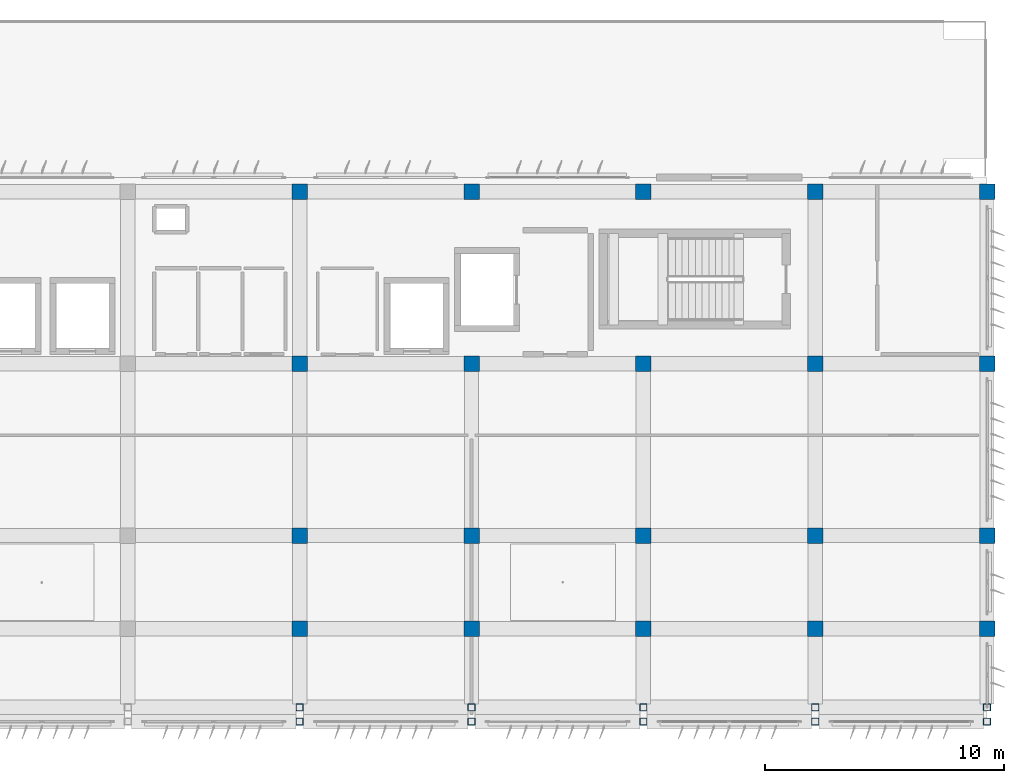
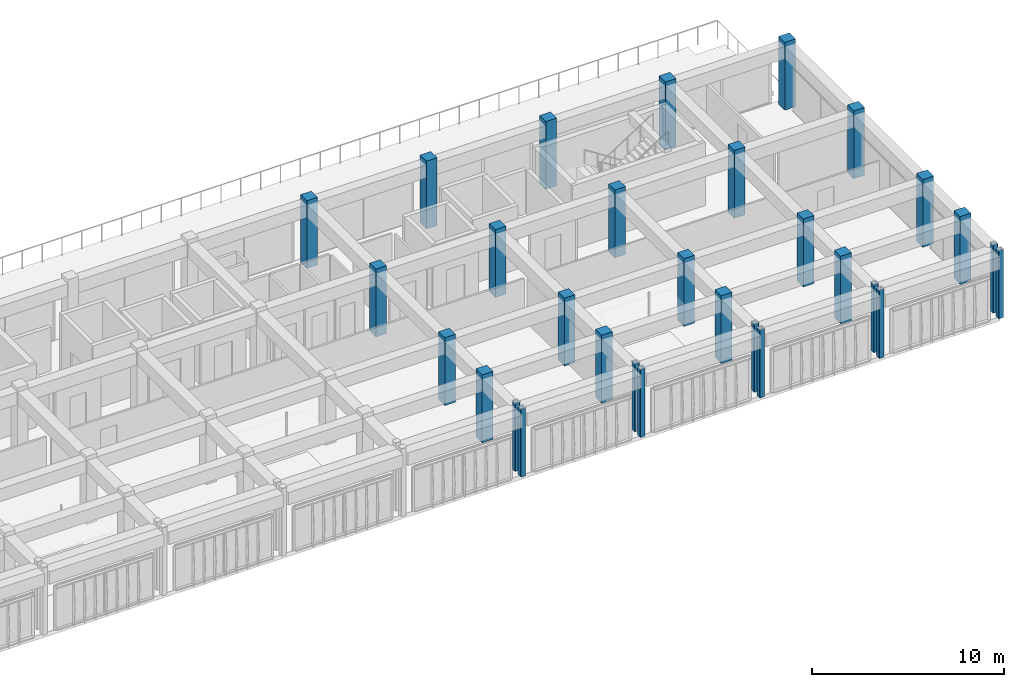
# One storey, part 2 of 42: 30 columns.
"""IFC4 building model written with IfcOpenShell, lengths in metres."""

from ifc_helpers import new_model, si_unit, direction, frame, origin, origin_2d, place, context, subcontext, project, spatial, rectangle, hollow_rectangle, extrude, material, material_profile, profile_set, type_object, element, save


model = new_model("IFC4")

# Units and contexts
model_context = context("Model", 3, precision=1e-05, world=origin(), true_north=direction((0.0, 1.0)))
body_context = subcontext(model_context, "Body", "Model", "MODEL_VIEW")
ifc_project = project(units=[si_unit("LENGTHUNIT", "METRE"), si_unit("AREAUNIT", "SQUARE_METRE"), si_unit("VOLUMEUNIT", "CUBIC_METRE"), si_unit("PLANEANGLEUNIT", "RADIAN"), si_unit("MASSUNIT", "GRAM", prefix="KILO")], contexts=[model_context])

# Site, building, storey
site_placement = place(None, origin())
site = spatial("IfcSite", under=ifc_project, at=site_placement, CompositionType="ELEMENT")
building_placement = place(site_placement, origin())
building = spatial("IfcBuilding", under=site, at=building_placement, Name="Kazehaya Institute of Natural Sciences", CompositionType="ELEMENT")
storey_placement = place(building_placement, frame((0.0, 0.0, 37.6201171875)))
storey = spatial("IfcBuildingStorey", under=building, at=storey_placement, Name="L08", CompositionType="ELEMENT", Elevation=37.6201171875)

# Columns
ifc_material_1 = material(Name="Concrete Fc36", Category="concrete")
ifc_material_profile_1 = material_profile(ifc_material_1, rectangle(XDim=0.64990234375, YDim=0.64990234375, at=origin_2d()), Name="RC-650x650")
ifc_profile_set_1 = profile_set([ifc_material_profile_1], Name="Concrete Fc36")
column_type_1 = type_object("IfcColumnType", Name="COL-RC650", PredefinedType="COLUMN", material=ifc_profile_set_1)
for number, where, z_axis, x_axis, name in (
    (1, (90.60009765625, 10.10009765625, 0.0), (0.0, 0.0, 1.0), (1.0, 0.0, 0.0), "L08 column COL-L08-1306"),
    (2, (97.800048828125, 10.10009765625, 0.0), (0.0, 0.0, 1.0), (1.0, 0.0, 0.0), "L08 column COL-L08-1307"),
    (3, (105.0, 10.10009765625, 0.0), (0.0, 0.0, 1.0), (1.0, 0.0, 0.0), "L08 column COL-L08-1308"),
    (4, (112.199951171875, 10.10009765625, 0.0), (0.0, 0.0, 1.0), (1.0, 0.0, 0.0), "L08 column COL-L08-1309"),
    (5, (119.39990234375, 10.10009765625, 0.0), (0.0, 0.0, 1.0), (1.0, 0.0, 0.0), "L08 column COL-L08-1310"),
    (6, (90.60009765625, 14.0, 0.0), (0.0, 0.0, 1.0), (1.0, 0.0, 0.0), "L08 column COL-L08-1316"),
    (7, (97.800048828125, 14.0, 0.0), (0.0, 0.0, 1.0), (1.0, 0.0, 0.0), "L08 column COL-L08-1317"),
    (8, (105.0, 14.0, 0.0), (0.0, 0.0, 1.0), (1.0, 0.0, 0.0), "L08 column COL-L08-1318"),
    (9, (112.199951171875, 14.0, 0.0), (0.0, 0.0, 1.0), (1.0, 0.0, 0.0), "L08 column COL-L08-1319"),
    (10, (119.39990234375, 14.0, 0.0), (0.0, 0.0, 1.0), (1.0, 0.0, 0.0), "L08 column COL-L08-1320"),
    (11, (90.60009765625, 21.199951171875, 0.0), (0.0, 0.0, 1.0), (1.0, 0.0, 0.0), "L08 column COL-L08-1326"),
    (12, (97.800048828125, 21.199951171875, 0.0), (0.0, 0.0, 1.0), (1.0, 0.0, 0.0), "L08 column COL-L08-1327"),
    (13, (105.0, 21.199951171875, 0.0), (0.0, 0.0, 1.0), (1.0, 0.0, 0.0), "L08 column COL-L08-1328"),
    (14, (112.199951171875, 21.199951171875, 0.0), (0.0, 0.0, 1.0), (1.0, 0.0, 0.0), "L08 column COL-L08-1329"),
    (15, (119.39990234375, 21.199951171875, 0.0), (0.0, 0.0, 1.0), (1.0, 0.0, 0.0), "L08 column COL-L08-1330"),
    (16, (90.60009765625, 28.39990234375, 0.0), (0.0, 0.0, 1.0), (1.0, 0.0, 0.0), "L08 column COL-L08-1336"),
    (17, (97.800048828125, 28.39990234375, 0.0), (0.0, 0.0, 1.0), (1.0, 0.0, 0.0), "L08 column COL-L08-1337"),
    (18, (105.0, 28.39990234375, 0.0), (0.0, 0.0, 1.0), (1.0, 0.0, 0.0), "L08 column COL-L08-1338"),
    (19, (112.199951171875, 28.39990234375, 0.0), (0.0, 0.0, 1.0), (1.0, 0.0, 0.0), "L08 column COL-L08-1339"),
    (20, (119.39990234375, 28.39990234375, 0.0), (0.0, 0.0, 1.0), (1.0, 0.0, 0.0), "L08 column COL-L08-1340"),
):
    element("IfcColumn", number, at=place(storey_placement, frame(where, z_axis=z_axis, x_axis=x_axis)), inside=storey, type_object=column_type_1, Name=name, PredefinedType="COLUMN", context=body_context, shape_type="SweptSolid", body=[
        extrude(rectangle(XDim=0.64990234375, YDim=0.64990234375, at=origin_2d()), origin(), (0.0, 0.0, 1.0), 4.31982421875),
    ])
ifc_material_2 = material(Name="Structural steel BCR295", Category="steel")
ifc_material_profile_2 = material_profile(ifc_material_2, hollow_rectangle(XDim=0.300048828125, YDim=0.300048828125, WallThickness=0.011962890625, InnerFilletRadius=0.01806640625, OuterFilletRadius=0.030029296875, at=origin_2d()), Name="BCR-300x300x12")
ifc_profile_set_2 = profile_set([ifc_material_profile_2], Name="Structural steel BCR295")
column_type_2 = type_object("IfcColumnType", Name="COL-STL-BCR300", PredefinedType="COLUMN", material=ifc_profile_set_2)
for number, where, z_axis, x_axis, name in (
    (21, (90.60009765625, 6.199951171875, 0.0), (0.0, 0.0, 1.0), (1.0, 0.0, 0.0), "L08 column COL-L08-1286"),
    (22, (97.800048828125, 6.199951171875, 0.0), (0.0, 0.0, 1.0), (1.0, 0.0, 0.0), "L08 column COL-L08-1287"),
    (23, (105.0, 6.199951171875, 0.0), (0.0, 0.0, 1.0), (1.0, 0.0, 0.0), "L08 column COL-L08-1288"),
    (24, (112.199951171875, 6.199951171875, 0.0), (0.0, 0.0, 1.0), (1.0, 0.0, 0.0), "L08 column COL-L08-1289"),
    (25, (119.39990234375, 6.199951171875, 0.0), (0.0, 0.0, 1.0), (1.0, 0.0, 0.0), "L08 column COL-L08-1290"),
    (26, (90.60009765625, 6.800048828125, 0.0), (0.0, 0.0, 1.0), (1.0, 0.0, 0.0), "L08 column COL-L08-1296"),
    (27, (97.800048828125, 6.800048828125, 0.0), (0.0, 0.0, 1.0), (1.0, 0.0, 0.0), "L08 column COL-L08-1297"),
    (28, (105.0, 6.800048828125, 0.0), (0.0, 0.0, 1.0), (1.0, 0.0, 0.0), "L08 column COL-L08-1298"),
    (29, (112.199951171875, 6.800048828125, 0.0), (0.0, 0.0, 1.0), (1.0, 0.0, 0.0), "L08 column COL-L08-1299"),
    (30, (119.39990234375, 6.800048828125, 0.0), (0.0, 0.0, 1.0), (1.0, 0.0, 0.0), "L08 column COL-L08-1300"),
):
    element("IfcColumn", number, at=place(storey_placement, frame(where, z_axis=z_axis, x_axis=x_axis)), inside=storey, type_object=column_type_2, Name=name, PredefinedType="COLUMN", context=body_context, shape_type="SweptSolid", body=[
        extrude(hollow_rectangle(XDim=0.300048828125, YDim=0.300048828125, WallThickness=0.011962890625, InnerFilletRadius=0.01806640625, OuterFilletRadius=0.030029296875, at=origin_2d()), origin(), (0.0, 0.0, 1.0), 4.31982421875),
    ])

save(model, "model.ifc")
